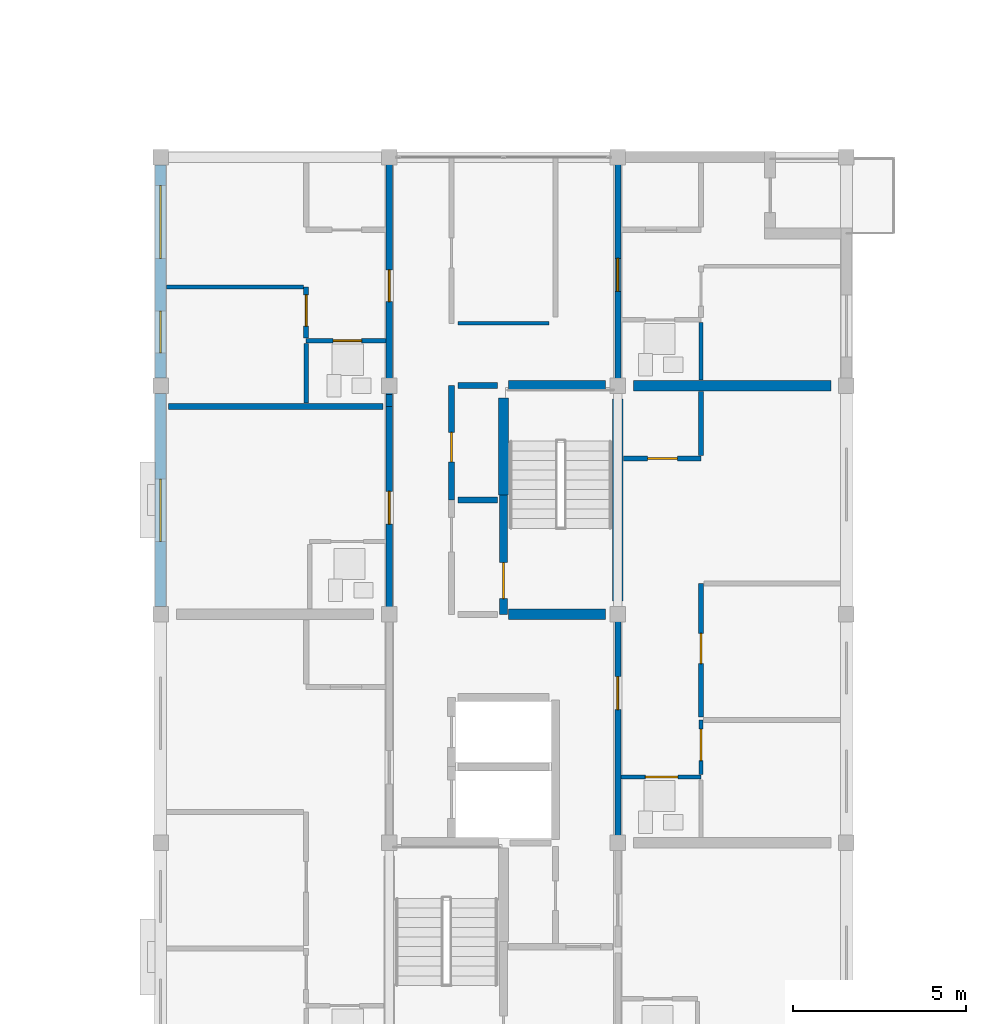
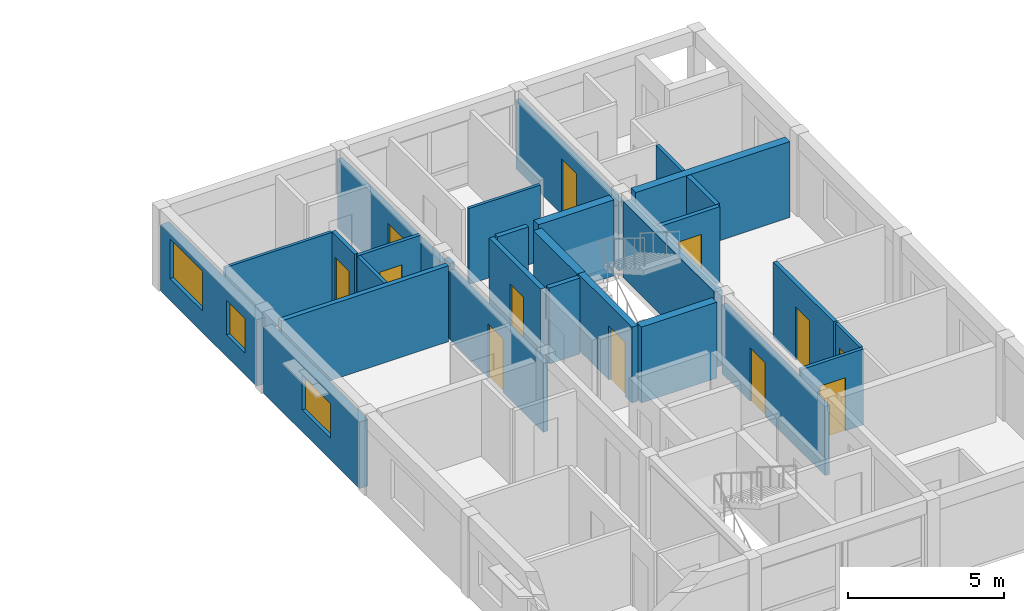
# One storey, part 32 of 53: 28 walls, 12 doors, 3 windows, 15 openings.
"""IFC4 building model written with IfcOpenShell, lengths in metres."""

import ifcopenshell
import ifcopenshell.guid

model = None  # the IFC model being written
_history = None  # IfcOwnerHistory: only IFC2X3 demands one
_inside = {}  # id of a spatial element -> (the spatial element, [elements in it])
_under = {}  # id of a project, library or spatial element -> (it, [spatial elements below it])
_declared = {}  # id of a project -> (the project, [libraries it declares])
_typed = {}  # id of a type object -> (the type object, [elements of that type])
_made_of = {}  # id of a material, layer set ... -> (it, [elements and type objects made of it])


def new_model(schema):
    """Start an empty IFC model of exactly this schema.

    Asked for "IFC4X3", IfcOpenShell would pick the latest addendum, in which some entities
    have other attributes; the version numbers below select the first issue.
    IFC2X3 requires an IfcOwnerHistory on every rooted entity: one is made here for all.
    """
    global model, _history
    if schema == "IFC4X3":
        model = ifcopenshell.file(schema_version=(4, 3, 0, 0))
    else:
        model = ifcopenshell.file(schema=schema)
    _inside.clear()
    _under.clear()
    _declared.clear()
    _typed.clear()
    _made_of.clear()
    _history = None
    if model.schema == "IFC2X3":
        org = make("IfcOrganization", Name="unknown")
        user = make(
            "IfcPersonAndOrganization",
            ThePerson=make("IfcPerson", FamilyName="unknown"),
            TheOrganization=org,
        )
        app = make(
            "IfcApplication",
            ApplicationDeveloper=org,
            Version="unknown",
            ApplicationFullName="unknown",
            ApplicationIdentifier="unknown",
        )
        _history = make(
            "IfcOwnerHistory",
            OwningUser=user,
            OwningApplication=app,
            ChangeAction="ADDED",
            CreationDate=0,
        )
    return model


def make(cls, **values):
    """One entity of the class cls with the attributes given. An attribute that is None is left unset."""
    return model.create_entity(
        cls, **{name: value for name, value in values.items() if value is not None}
    )


def rooted(cls, **values):
    """An entity with a GlobalId (a new one), such as an element, a storey or a relation."""
    return make(cls, GlobalId=ifcopenshell.guid.new(), OwnerHistory=_history, **values)


def si_unit(unit_type, name, prefix=None):
    """IfcSIUnit, for example si_unit("LENGTHUNIT", "METRE", prefix="MILLI")."""
    return make("IfcSIUnit", UnitType=unit_type, Prefix=prefix, Name=name)


def assignment(units):
    """IfcUnitAssignment: the units of a project."""
    return None if units is None else make("IfcUnitAssignment", Units=units)


def point(xyz):
    """IfcCartesianPoint."""
    return None if xyz is None else make("IfcCartesianPoint", Coordinates=xyz)


def direction(xyz):
    """IfcDirection."""
    return None if xyz is None else make("IfcDirection", DirectionRatios=xyz)


def frame(location, z_axis=None, x_axis=None):
    """IfcAxis2Placement3D, a coordinate frame: its origin and axes. An axis left out is left unset."""
    return make(
        "IfcAxis2Placement3D",
        Location=point(location),
        Axis=direction(z_axis),
        RefDirection=direction(x_axis),
    )


def frame_2d(location, x_axis=None):
    """IfcAxis2Placement2D, a coordinate frame in the plane: its origin and x axis."""
    return make(
        "IfcAxis2Placement2D", Location=point(location), RefDirection=direction(x_axis)
    )


def origin():
    """The frame at (0, 0, 0) with its axes left unset."""
    return frame((0.0, 0.0, 0.0))


def place(relative_to, where):
    """IfcLocalPlacement: puts the frame where relative to a parent placement (None: the world)."""
    return make(
        "IfcLocalPlacement", PlacementRelTo=relative_to, RelativePlacement=where
    )


def context(
    kind, dimensions, precision=None, world=None, true_north=None, identifier=None
):
    """IfcGeometricRepresentationContext, for example the 3D "Model" context."""
    return make(
        "IfcGeometricRepresentationContext",
        ContextIdentifier=identifier,
        ContextType=kind,
        CoordinateSpaceDimension=dimensions,
        Precision=precision,
        WorldCoordinateSystem=world,
        TrueNorth=true_north,
    )


def subcontext(parent, identifier, kind, view, scale=None):
    """IfcGeometricRepresentationSubContext, for example "Body" below "Model"."""
    return make(
        "IfcGeometricRepresentationSubContext",
        ContextIdentifier=identifier,
        ContextType=kind,
        ParentContext=parent,
        TargetScale=scale,
        TargetView=view,
    )


def project(units=None, contexts=None):
    """IfcProject with its units and contexts."""
    return rooted(
        "IfcProject",
        Name="project",
        RepresentationContexts=contexts,
        UnitsInContext=assignment(units),
    )


def spatial(cls, under=None, at=None, **own):
    """A site, building, storey or space (cls), placed at a placement, below another one or the project."""
    s = rooted(cls, ObjectPlacement=at, **own)
    if under is not None:
        _under.setdefault(under.id(), (under, []))[1].append(s)
    return s


def profile(cls, at=None, kind="AREA", **sizes):
    """A parametric profile (cls). Its sizes go by their IFC names, for example OverallWidth=200.0."""
    return make(cls, ProfileType=kind, Position=at, **sizes)


def rectangle(**sizes):
    """IfcRectangleProfileDef."""
    return profile("IfcRectangleProfileDef", **sizes)


def extrude(swept, where, along, depth):
    """IfcExtrudedAreaSolid: the profile swept, set in the frame where, extruded along a direction by depth."""
    return make(
        "IfcExtrudedAreaSolid",
        SweptArea=swept,
        Position=where,
        ExtrudedDirection=direction(along),
        Depth=depth,
    )


def shape(context_of_items, identifier, shape_type, items):
    """IfcShapeRepresentation: the items that make up one representation, for example the "Body"."""
    return make(
        "IfcShapeRepresentation",
        ContextOfItems=context_of_items,
        RepresentationIdentifier=identifier,
        RepresentationType=shape_type,
        Items=items,
    )


def material(Name=None, Category=None):
    """IfcMaterial."""
    return make("IfcMaterial", Name=Name, Category=Category)


def layer(
    of_material, thickness, ventilated=None, Name=None, Category=None, Priority=None
):
    """IfcMaterialLayer: one layer of a wall or slab, of a material (None: an air gap)."""
    return make(
        "IfcMaterialLayer",
        Material=of_material,
        LayerThickness=thickness,
        IsVentilated=ventilated,
        Name=Name,
        Category=Category,
        Priority=Priority,
    )


def layer_set(layers, Name=None):
    """IfcMaterialLayerSet."""
    return make("IfcMaterialLayerSet", MaterialLayers=layers, LayerSetName=Name)


def made_of(thing, what):
    """Note that an element or type object is made of a material, layer set ...; save() writes the relation."""
    if what is not None:
        _made_of.setdefault(what.id(), (what, []))[1].append(thing)
    return thing


def type_object(cls, material=None, **own):
    """A type object (cls), such as IfcWallType, which elements share."""
    return made_of(rooted(cls, **own), material)


def element(
    cls,
    number,
    at=None,
    inside=None,
    cuts=None,
    type_object=None,
    material=None,
    context=None,
    identifier="Body",
    shape_type=None,
    held_by="IfcProductDefinitionShape",
    body=None,
    shapes=None,
    **own,
):
    """One element of the class cls, such as IfcWall. Its Tag is "e" and its number.

    at: its placement. inside: the storey or other place that contains it. cuts: it is an
    opening in that element (IfcRelVoidsElement). A single representation is given by context,
    identifier, shape_type and body (its items); several are given by shapes. held_by: the class
    of the entity that holds the representations. save() writes the other relations.
    """
    e = rooted(cls, Tag="e%d" % number, ObjectPlacement=at, **own)
    if body is not None:
        shapes = [shape(context, identifier, shape_type, body)]
    if shapes is not None:
        e.Representation = make(held_by, Representations=shapes)
    if inside is not None:
        _inside.setdefault(inside.id(), (inside, []))[1].append(e)
    if cuts is not None:
        rooted(
            "IfcRelVoidsElement", RelatingBuildingElement=cuts, RelatedOpeningElement=e
        )
    if type_object is not None:
        _typed.setdefault(type_object.id(), (type_object, []))[1].append(e)
    return made_of(e, material)


def fill(opening, filler):
    """IfcRelFillsElement: the door or window that sits in an opening."""
    return rooted(
        "IfcRelFillsElement",
        RelatingOpeningElement=opening,
        RelatedBuildingElement=filler,
    )


def aggregate(whole, parts):
    """IfcRelAggregates: a whole, such as a stair, and the parts it consists of."""
    return rooted("IfcRelAggregates", RelatingObject=whole, RelatedObjects=parts)


def save(model, path):
    """Write the relations noted so far, then the file.

    IfcRelAggregates (storeys below a building ...), IfcRelContainedInSpatialStructure (elements
    in a storey), IfcRelDefinesByType, IfcRelAssociatesMaterial and IfcRelDeclares: one each for
    every whole, place, type object, material and project.
    """
    for whole, parts in _under.values():
        aggregate(whole, parts)
    for where, things in _inside.values():
        rooted(
            "IfcRelContainedInSpatialStructure",
            RelatedElements=things,
            RelatingStructure=where,
        )
    for kind, things in _typed.values():
        rooted("IfcRelDefinesByType", RelatedObjects=things, RelatingType=kind)
    for what, things in _made_of.values():
        rooted("IfcRelAssociatesMaterial", RelatedObjects=things, RelatingMaterial=what)
    for by, libraries in _declared.values():
        rooted("IfcRelDeclares", RelatingContext=by, RelatedDefinitions=libraries)
    model.write(path)


model = new_model("IFC4")

# Units and contexts
model_context = context("Model", 3, precision=1e-05, world=origin(), true_north=direction((0.0, 1.0)))
body_context = subcontext(model_context, "Body", "Model", "MODEL_VIEW")
ifc_project = project(units=[si_unit("LENGTHUNIT", "METRE"), si_unit("AREAUNIT", "SQUARE_METRE"), si_unit("VOLUMEUNIT", "CUBIC_METRE"), si_unit("PLANEANGLEUNIT", "RADIAN"), si_unit("MASSUNIT", "GRAM", prefix="KILO")], contexts=[model_context])

# Site, building, storey
site_placement = place(None, origin())
site = spatial("IfcSite", under=ifc_project, at=site_placement, CompositionType="ELEMENT")
building_placement = place(site_placement, origin())
building = spatial("IfcBuilding", under=site, at=building_placement, Name="Kernevlak Ridge Housing Community", CompositionType="ELEMENT")
storey_placement = place(building_placement, frame((0.0, 0.0, 24.39990234375)))
storey = spatial("IfcBuildingStorey", under=building, at=storey_placement, Name="L07", CompositionType="ELEMENT", Elevation=24.39990234375)

# Wall, opening, window
ifc_material_1 = material(Name="Concrete block masonry M10", Category="masonry")
ifc_layer_1 = layer(ifc_material_1, 0.320068359375, Name="Concrete block masonry M10")
ifc_layer_set_1 = layer_set([ifc_layer_1], Name="Concrete block masonry M10")
wall_type_1 = type_object("IfcWallType", Name="EW-02", PredefinedType="STANDARD", material=ifc_layer_set_1)
wall_1_placement = place(storey_placement, frame((126.0, 29.02490234375, 0.0), z_axis=(0.0, 0.0, 1.0), x_axis=(0.0, 1.0, 0.0)))
wall_1 = element("IfcWall", 1, at=wall_1_placement, inside=storey, type_object=wall_type_1, Name="Exterior wall EW-02 L07 630", PredefinedType="STANDARD", context=body_context, shape_type="SweptSolid", body=[
    extrude(rectangle(XDim=6.150146484375, YDim=0.320068359375, at=frame_2d((3.0751953125, 0.0))), origin(), (0.0, 0.0, 1.0), 2.60009765625),
])
opening_1_placement = place(wall_1_placement, frame((1.875, 0.0, 0.85009765625)))
opening_1 = element("IfcOpeningElement", 2, at=opening_1_placement, cuts=wall_1, Name="Opening WT-03", PredefinedType="OPENING", context=body_context, shape_type="SweptSolid", body=[
    extrude(rectangle(XDim=1.800048828125, YDim=1.35009765625, at=frame_2d((0.89990234375, 0.675048828125))), frame((0.0, 0.169921875, 0.0), z_axis=(0.0, -1.0, 0.0), x_axis=(1.0, 0.0, 0.0)), (0.0, 0.0, 1.0), 0.340087890625),
])
ifc_material_2 = material(Name="Aluminium EN AW-6060 anodised and laminated glass", Category="aluminium")
window_type_1 = type_object("IfcWindowType", Name="WT-03", PartitioningType="SINGLE_PANEL", PredefinedType="WINDOW", material=ifc_material_2)
window_1_placement = place(opening_1_placement, origin())
window_1 = element("IfcWindow", 3, at=window_1_placement, inside=storey, type_object=window_type_1, Name="Window WT-03 L07 512", OverallHeight=1.35009765625, OverallWidth=1.800048828125, PartitioningType="SINGLE_PANEL", PredefinedType="WINDOW", context=body_context, shape_type="SweptSolid", body=[
    extrude(rectangle(XDim=1.800048828125, YDim=1.35009765625, at=frame_2d((0.89990234375, 0.675048828125))), frame((0.0, 0.030029296875, 0.0), z_axis=(0.0, -1.0, 0.0), x_axis=(1.0, 0.0, 0.0)), (0.0, 0.0, 1.0), 0.06005859375),
])
fill(opening_1, window_1)

# Wall, openings, windows
wall_2_placement = place(storey_placement, frame((126.0, 35.625, 0.0), z_axis=(0.0, 0.0, 1.0), x_axis=(0.0, 1.0, 0.0)))
wall_2 = element("IfcWall", 4, at=wall_2_placement, inside=storey, type_object=wall_type_1, Name="Exterior wall EW-02 L07 631", PredefinedType="STANDARD", context=body_context, shape_type="SweptSolid", body=[
    extrude(rectangle(XDim=6.14990234375, YDim=0.320068359375, at=frame_2d((3.074951171875, 0.0))), origin(), (0.0, 0.0, 1.0), 2.60009765625),
])
opening_2_placement = place(wall_2_placement, frame((0.72509765625, 0.0, 0.85009765625)))
opening_2 = element("IfcOpeningElement", 5, at=opening_2_placement, cuts=wall_2, Name="Opening WT-01", PredefinedType="OPENING", context=body_context, shape_type="SweptSolid", body=[
    extrude(rectangle(XDim=1.199951171875, YDim=1.35009765625, at=frame_2d((0.60009765625, 0.675048828125))), frame((0.0, 0.169921875, 0.0), z_axis=(0.0, -1.0, 0.0), x_axis=(1.0, 0.0, 0.0)), (0.0, 0.0, 1.0), 0.340087890625),
])
opening_3_placement = place(wall_2_placement, frame((3.449951171875, 0.0, 0.85009765625)))
opening_3 = element("IfcOpeningElement", 6, at=opening_3_placement, cuts=wall_2, Name="Opening WT-05", PredefinedType="OPENING", context=body_context, shape_type="SweptSolid", body=[
    extrude(rectangle(XDim=2.10009765625, YDim=1.550048828125, at=frame_2d((1.050048828125, 0.77490234375))), frame((0.0, 0.169921875, 0.0), z_axis=(0.0, -1.0, 0.0), x_axis=(1.0, 0.0, 0.0)), (0.0, 0.0, 1.0), 0.340087890625),
])
window_type_2 = type_object("IfcWindowType", Name="WT-01", PartitioningType="SINGLE_PANEL", PredefinedType="WINDOW", material=ifc_material_2)
window_2_placement = place(opening_2_placement, origin())
window_2 = element("IfcWindow", 7, at=window_2_placement, inside=storey, type_object=window_type_2, Name="Window WT-01 L07 513", OverallHeight=1.35009765625, OverallWidth=1.199951171875, PartitioningType="SINGLE_PANEL", PredefinedType="WINDOW", context=body_context, shape_type="SweptSolid", body=[
    extrude(rectangle(XDim=1.199951171875, YDim=1.35009765625, at=frame_2d((0.60009765625, 0.675048828125))), frame((0.0, 0.030029296875, 0.0), z_axis=(0.0, -1.0, 0.0), x_axis=(1.0, 0.0, 0.0)), (0.0, 0.0, 1.0), 0.06005859375),
])
fill(opening_2, window_2)
window_type_3 = type_object("IfcWindowType", Name="WT-05", PartitioningType="SINGLE_PANEL", PredefinedType="WINDOW", material=ifc_material_2)
window_3_placement = place(opening_3_placement, origin())
window_3 = element("IfcWindow", 8, at=window_3_placement, inside=storey, type_object=window_type_3, Name="Window WT-05 L07 514", OverallHeight=1.550048828125, OverallWidth=2.10009765625, PartitioningType="SINGLE_PANEL", PredefinedType="WINDOW", context=body_context, shape_type="SweptSolid", body=[
    extrude(rectangle(XDim=2.10009765625, YDim=1.550048828125, at=frame_2d((1.050048828125, 0.77490234375))), frame((0.0, 0.030029296875, 0.0), z_axis=(0.0, -1.0, 0.0), x_axis=(1.0, 0.0, 0.0)), (0.0, 0.0, 1.0), 0.06005859375),
])
fill(opening_3, window_3)

# Wall, opening, door
ifc_material_3 = material(Name="Concrete C35/45", Category="concrete")
ifc_layer_2 = layer(ifc_material_3, 0.22509765625, Name="Concrete C35/45")
ifc_layer_set_2 = layer_set([ifc_layer_2], Name="Concrete C35/45")
wall_type_2 = type_object("IfcWallType", Name="PW-01", PredefinedType="STANDARD", material=ifc_layer_set_2)
wall_3_placement = place(storey_placement, frame((135.89990234375, 28.800048828125, 0.0), z_axis=(0.0, 0.0, 1.0), x_axis=(0.0, 1.0, 0.0)))
wall_3 = element("IfcWall", 9, at=wall_3_placement, inside=storey, type_object=wall_type_2, Name="Interior wall PW-01 WAL-INT-L07-2558", PredefinedType="STANDARD", context=body_context, shape_type="SweptSolid", body=[
    extrude(rectangle(XDim=3.449951171875, YDim=0.22509765625, at=frame_2d((1.72509765625, 0.0))), origin(), (0.0, 0.0, 1.0), 2.97021484375),
])
opening_4_placement = place(wall_3_placement, frame((0.449951171875, 0.0, 0.0)))
opening_4 = element("IfcOpeningElement", 10, at=opening_4_placement, cuts=wall_3, Name="Opening E296", PredefinedType="OPENING", context=body_context, shape_type="SweptSolid", body=[
    extrude(rectangle(XDim=1.0400390625, YDim=2.1201171875, at=frame_2d((0.52001953125, 1.06005859375))), frame((0.0, 0.12255859375, 0.0), z_axis=(0.0, -1.0, 0.0), x_axis=(1.0, 0.0, 0.0)), (0.0, 0.0, 1.0), 0.2451171875),
])
ifc_material_4 = material(Name="Fire-rated sheet steel leaf", Category="steel")
door_type_1 = type_object("IfcDoorType", Name="DT-16", OperationType="NOTDEFINED", PredefinedType="DOOR", material=ifc_material_4)
door_1_placement = place(opening_4_placement, origin())
door_1 = element("IfcDoor", 11, at=door_1_placement, inside=storey, type_object=door_type_1, Name="Block C Stair 2 fire door E296", OperationType="SINGLE_SWING_LEFT", OverallHeight=2.1201171875, OverallWidth=1.0400390625, PredefinedType="DOOR", context=body_context, shape_type="SweptSolid", body=[
    extrude(rectangle(XDim=1.0400390625, YDim=2.1201171875, at=frame_2d((0.52001953125, 1.06005859375))), frame((0.0, 0.02490234375, 0.0), z_axis=(0.0, -1.0, 0.0), x_axis=(1.0, 0.0, 0.0)), (0.0, 0.0, 1.0), 0.050048828125),
])
fill(opening_4, door_1)

ifc_layer_3 = layer(ifc_material_1, 0.175048828125, Name="Concrete block masonry M10")
ifc_layer_set_3 = layer_set([ifc_layer_3], Name="Concrete block masonry M10")
wall_type_3 = type_object("IfcWallType", Name="PW-02", PredefinedType="PARTITIONING", material=ifc_layer_set_3)
wall_4_placement = place(storey_placement, frame((134.39990234375, 32.10009765625, 0.0), z_axis=(0.0, 0.0, 1.0), x_axis=(0.0, 1.0, 0.0)))
wall_4 = element("IfcWall", 12, at=wall_4_placement, inside=storey, type_object=wall_type_3, Name="Interior wall PW-02 WAL-INT-L07-2560", PredefinedType="PARTITIONING", context=body_context, shape_type="SweptSolid", body=[
    extrude(rectangle(XDim=3.2998046875, YDim=0.175048828125, at=frame_2d((1.64990234375, 0.0))), origin(), (0.0, 0.0, 1.0), 2.97021484375),
])
opening_5_placement = place(wall_4_placement, frame((1.10009765625, 0.0, 0.0)))
opening_5 = element("IfcOpeningElement", 13, at=opening_5_placement, cuts=wall_4, Name="Opening E298", PredefinedType="OPENING", context=body_context, shape_type="SweptSolid", body=[
    extrude(rectangle(XDim=0.85009765625, YDim=2.0, at=frame_2d((0.425048828125, 1.0))), frame((0.0, 0.097412109375, 0.0), z_axis=(0.0, -1.0, 0.0), x_axis=(1.0, 0.0, 0.0)), (0.0, 0.0, 1.0), 0.195068359375),
])
door_type_2 = type_object("IfcDoorType", Name="DT-07", OperationType="NOTDEFINED", PredefinedType="DOOR", material=ifc_material_4)
door_2_placement = place(opening_5_placement, origin())
door_2 = element("IfcDoor", 14, at=door_2_placement, inside=storey, type_object=door_type_2, Name="Block C Cleaner store door E298", OperationType="SINGLE_SWING_LEFT", OverallHeight=2.0, OverallWidth=0.85009765625, PredefinedType="DOOR", context=body_context, shape_type="SweptSolid", body=[
    extrude(rectangle(XDim=0.85009765625, YDim=2.0, at=frame_2d((0.425048828125, 1.0))), frame((0.0, 0.02490234375, 0.0), z_axis=(0.0, -1.0, 0.0), x_axis=(1.0, 0.0, 0.0)), (0.0, 0.0, 1.0), 0.050048828125),
])
fill(opening_5, door_2)

# Walls
for number, where, z_axis, x_axis, name in (
    (15, (134.580078125, 32.10009765625, 0.0), (0.0, 0.0, 1.0), (1.0, 0.0, 0.0), "Interior wall PW-02 WAL-INT-L07-2562"),
    (16, (134.580078125, 35.39990234375, 0.0), (0.0, 0.0, 1.0), (1.0, 0.0, 0.0), "Interior wall PW-02 WAL-INT-L07-2563"),
):
    element("IfcWall", number, at=place(storey_placement, frame(where, z_axis=z_axis, x_axis=x_axis)), inside=storey, type_object=wall_type_3, Name=name, PredefinedType="PARTITIONING", context=body_context, shape_type="SweptSolid", body=[
        extrude(rectangle(XDim=1.139892578125, YDim=0.175048828125, at=frame_2d((0.56982421875, 0.0))), origin(), (0.0, 0.0, 1.0), 2.97021484375),
    ])

# Wall, opening, door
wall_5_placement = place(storey_placement, frame((132.60009765625, 28.800048828125, 0.0), z_axis=(0.0, 0.0, 1.0), x_axis=(0.0, 1.0, 0.0)))
wall_5 = element("IfcWall", 17, at=wall_5_placement, inside=storey, type_object=wall_type_3, Name="Interior wall PW-02 WAL-INT-L07-2576", PredefinedType="PARTITIONING", context=body_context, shape_type="SweptSolid", body=[
    extrude(rectangle(XDim=6.0, YDim=0.175048828125, at=frame_2d((3.0, 0.0))), origin(), (0.0, 0.0, 1.0), 2.7001953125),
])
opening_6_placement = place(wall_5_placement, frame((2.60009765625, 0.0, 0.0)))
opening_6 = element("IfcOpeningElement", 18, at=opening_6_placement, cuts=wall_5, Name="Opening E305", PredefinedType="OPENING", context=body_context, shape_type="SweptSolid", body=[
    extrude(rectangle(XDim=0.949951171875, YDim=2.10009765625, at=frame_2d((0.47509765625, 1.050048828125))), frame((0.0, 0.097412109375, 0.0), z_axis=(0.0, -1.0, 0.0), x_axis=(1.0, 0.0, 0.0)), (0.0, 0.0, 1.0), 0.195068359375),
])
ifc_material_5 = material(Name="Hardwood timber solid-core fire leaf", Category="wood")
door_type_3 = type_object("IfcDoorType", Name="DT-01", OperationType="NOTDEFINED", PredefinedType="DOOR", material=ifc_material_5)
door_3_placement = place(opening_6_placement, origin())
door_3 = element("IfcDoor", 19, at=door_3_placement, inside=storey, type_object=door_type_3, Name="Flat C0712 entrance fire door E305", OperationType="SINGLE_SWING_RIGHT", OverallHeight=2.10009765625, OverallWidth=0.949951171875, PredefinedType="DOOR", context=body_context, shape_type="SweptSolid", body=[
    extrude(rectangle(XDim=0.949951171875, YDim=2.10009765625, at=frame_2d((0.47509765625, 1.050048828125))), frame((0.0, 0.02490234375, 0.0), z_axis=(0.0, -1.0, 0.0), x_axis=(1.0, 0.0, 0.0)), (0.0, 0.0, 1.0), 0.050048828125),
])
fill(opening_6, door_3)

# Walls
wall_6_placement = place(storey_placement, frame((132.419921875, 34.800048828125, 0.0), z_axis=(0.0, 0.0, 1.0), x_axis=(-1.0, 0.0, 0.0)))
element("IfcWall", 20, at=wall_6_placement, inside=storey, type_object=wall_type_3, Name="Interior wall PW-02 WAL-INT-L07-2579", PredefinedType="PARTITIONING", context=body_context, shape_type="SweptSolid", body=[
    extrude(rectangle(XDim=6.18994140625, YDim=0.175048828125, at=frame_2d((3.094970703125, 0.0))), origin(), (0.0, 0.0, 1.0), 2.97021484375),
])
wall_7_placement = place(storey_placement, frame((132.60009765625, 34.800048828125, 0.0), z_axis=(0.0, 0.0, 1.0), x_axis=(0.0, 1.0, 0.0)))
element("IfcWall", 21, at=wall_7_placement, inside=storey, type_object=wall_type_3, Name="Interior wall PW-02 WAL-INT-L07-2580", PredefinedType="PARTITIONING", context=body_context, shape_type="SweptSolid", body=[
    extrude(rectangle(XDim=0.344970703125, YDim=0.175048828125, at=frame_2d((0.17236328125, 0.0))), origin(), (0.0, 0.0, 1.0), 2.97021484375),
])

# Wall, opening, door
wall_8_placement = place(storey_placement, frame((132.60009765625, 35.14501953125, 0.0), z_axis=(0.0, 0.0, 1.0), x_axis=(0.0, 1.0, 0.0)))
wall_8 = element("IfcWall", 22, at=wall_8_placement, inside=storey, type_object=wall_type_3, Name="Interior wall PW-02 WAL-INT-L07-2580 part 2", PredefinedType="PARTITIONING", context=body_context, shape_type="SweptSolid", body=[
    extrude(rectangle(XDim=6.85498046875, YDim=0.175048828125, at=frame_2d((3.427490234375, 0.0))), origin(), (0.0, 0.0, 1.0), 2.7001953125),
])
opening_7_placement = place(wall_8_placement, frame((2.679931640625, 0.0, 0.0)))
opening_7 = element("IfcOpeningElement", 23, at=opening_7_placement, cuts=wall_8, Name="Opening E307", PredefinedType="OPENING", context=body_context, shape_type="SweptSolid", body=[
    extrude(rectangle(XDim=0.919921875, YDim=2.139892578125, at=frame_2d((0.4599609375, 1.06982421875))), frame((0.0, 0.097412109375, 0.0), z_axis=(0.0, -1.0, 0.0), x_axis=(1.0, 0.0, 0.0)), (0.0, 0.0, 1.0), 0.195068359375),
])
door_type_4 = type_object("IfcDoorType", Name="DT-20", OperationType="NOTDEFINED", PredefinedType="DOOR", material=ifc_material_5)
door_4_placement = place(opening_7_placement, origin())
door_4 = element("IfcDoor", 24, at=door_4_placement, inside=storey, type_object=door_type_4, Name="Flat C0713 entrance fire door E307", OperationType="SINGLE_SWING_RIGHT", OverallHeight=2.139892578125, OverallWidth=0.919921875, PredefinedType="DOOR", context=body_context, shape_type="SweptSolid", body=[
    extrude(rectangle(XDim=0.919921875, YDim=2.139892578125, at=frame_2d((0.4599609375, 1.06982421875))), frame((0.0, 0.02490234375, 0.0), z_axis=(0.0, -1.0, 0.0), x_axis=(1.0, 0.0, 0.0)), (0.0, 0.0, 1.0), 0.050048828125),
])
fill(opening_7, door_4)

wall_9_placement = place(storey_placement, frame((139.199951171875, 22.199951171875, 0.0), z_axis=(0.0, 0.0, 1.0), x_axis=(0.0, 1.0, 0.0)))
wall_9 = element("IfcWall", 25, at=wall_9_placement, inside=storey, type_object=wall_type_3, Name="Interior wall PW-02 WAL-INT-L07-2591", PredefinedType="PARTITIONING", context=body_context, shape_type="SweptSolid", body=[
    extrude(rectangle(XDim=6.60009765625, YDim=0.175048828125, at=frame_2d((3.300048828125, 0.0))), origin(), (0.0, 0.0, 1.0), 2.7001953125),
])
opening_8_placement = place(wall_9_placement, frame((3.85009765625, 0.0, 0.0)))
opening_8 = element("IfcOpeningElement", 26, at=opening_8_placement, cuts=wall_9, Name="Opening E313", PredefinedType="OPENING", context=body_context, shape_type="SweptSolid", body=[
    extrude(rectangle(XDim=0.949951171875, YDim=2.10009765625, at=frame_2d((0.47509765625, 1.050048828125))), frame((0.0, 0.097412109375, 0.0), z_axis=(0.0, -1.0, 0.0), x_axis=(1.0, 0.0, 0.0)), (0.0, 0.0, 1.0), 0.195068359375),
])
door_5_placement = place(opening_8_placement, origin())
door_5 = element("IfcDoor", 27, at=door_5_placement, inside=storey, type_object=door_type_3, Name="Flat C0722 entrance fire door E313", OperationType="SINGLE_SWING_RIGHT", OverallHeight=2.10009765625, OverallWidth=0.949951171875, PredefinedType="DOOR", context=body_context, shape_type="SweptSolid", body=[
    extrude(rectangle(XDim=0.949951171875, YDim=2.10009765625, at=frame_2d((0.47509765625, 1.050048828125))), frame((0.0, 0.02490234375, 0.0), z_axis=(0.0, -1.0, 0.0), x_axis=(1.0, 0.0, 0.0)), (0.0, 0.0, 1.0), 0.050048828125),
])
fill(opening_8, door_5)

wall_10_placement = place(storey_placement, frame((139.199951171875, 35.39990234375, 0.0), z_axis=(0.0, 0.0, 1.0), x_axis=(0.0, 1.0, 0.0)))
wall_10 = element("IfcWall", 28, at=wall_10_placement, inside=storey, type_object=wall_type_3, Name="Interior wall PW-02 WAL-INT-L07-2600", PredefinedType="PARTITIONING", context=body_context, shape_type="SweptSolid", body=[
    extrude(rectangle(XDim=6.60009765625, YDim=0.175048828125, at=frame_2d((3.300048828125, 0.0))), origin(), (0.0, 0.0, 1.0), 2.7001953125),
])
opening_9_placement = place(wall_10_placement, frame((2.72509765625, 0.0, 0.0)))
opening_9 = element("IfcOpeningElement", 29, at=opening_9_placement, cuts=wall_10, Name="Opening E318", PredefinedType="OPENING", context=body_context, shape_type="SweptSolid", body=[
    extrude(rectangle(XDim=0.949951171875, YDim=2.159912109375, at=frame_2d((0.47509765625, 1.080078125))), frame((0.0, 0.097412109375, 0.0), z_axis=(0.0, -1.0, 0.0), x_axis=(1.0, 0.0, 0.0)), (0.0, 0.0, 1.0), 0.195068359375),
])
door_type_5 = type_object("IfcDoorType", Name="DT-02", OperationType="NOTDEFINED", PredefinedType="DOOR", material=ifc_material_5)
door_6_placement = place(opening_9_placement, origin())
door_6 = element("IfcDoor", 30, at=door_6_placement, inside=storey, type_object=door_type_5, Name="Flat C0723 entrance fire door E318", OperationType="SINGLE_SWING_LEFT", OverallHeight=2.159912109375, OverallWidth=0.949951171875, PredefinedType="DOOR", context=body_context, shape_type="SweptSolid", body=[
    extrude(rectangle(XDim=0.949951171875, YDim=2.159912109375, at=frame_2d((0.47509765625, 1.080078125))), frame((0.0, 0.02490234375, 0.0), z_axis=(0.0, -1.0, 0.0), x_axis=(1.0, 0.0, 0.0)), (0.0, 0.0, 1.0), 0.050048828125),
])
fill(opening_9, door_6)

ifc_layer_4 = layer(ifc_material_1, 0.14501953125, Name="Concrete block masonry M10")
ifc_layer_set_4 = layer_set([ifc_layer_4], Name="Concrete block masonry M10")
wall_type_4 = type_object("IfcWallType", Name="PW-03", PredefinedType="PARTITIONING", material=ifc_layer_set_4)
wall_11_placement = place(storey_placement, frame((130.199951171875, 36.7724609375, 0.0), z_axis=(0.0, 0.0, 1.0), x_axis=(0.0, 1.0, 0.0)))
wall_11 = element("IfcWall", 31, at=wall_11_placement, inside=storey, type_object=wall_type_4, Name="Interior wall PW-03 WAL-INT-L07-2585", PredefinedType="PARTITIONING", context=body_context, shape_type="SweptSolid", body=[
    extrude(rectangle(XDim=1.4775390625, YDim=0.14501953125, at=frame_2d((0.73876953125, 0.0))), origin(), (0.0, 0.0, 1.0), 2.97021484375),
])
opening_10_placement = place(wall_11_placement, frame((0.35009765625, 0.0, 0.0)))
opening_10 = element("IfcOpeningElement", 32, at=opening_10_placement, cuts=wall_11, Name="Opening E310", PredefinedType="OPENING", context=body_context, shape_type="SweptSolid", body=[
    extrude(rectangle(XDim=0.89990234375, YDim=2.10009765625, at=frame_2d((0.449951171875, 1.050048828125))), frame((0.0, 0.08251953125, 0.0), z_axis=(0.0, -1.0, 0.0), x_axis=(1.0, 0.0, 0.0)), (0.0, 0.0, 1.0), 0.1650390625),
])
ifc_material_6 = material(Name="Hardwood timber leaf", Category="wood")
door_type_6 = type_object("IfcDoorType", Name="DT-21", OperationType="NOTDEFINED", PredefinedType="DOOR", material=ifc_material_6)
door_7_placement = place(opening_10_placement, origin())
door_7 = element("IfcDoor", 33, at=door_7_placement, inside=storey, type_object=door_type_6, Name="Flat C0713 bedroom door E310", OperationType="SINGLE_SWING_LEFT", OverallHeight=2.10009765625, OverallWidth=0.89990234375, PredefinedType="DOOR", context=body_context, shape_type="SweptSolid", body=[
    extrude(rectangle(XDim=0.89990234375, YDim=2.10009765625, at=frame_2d((0.449951171875, 1.050048828125))), frame((0.0, 0.02490234375, 0.0), z_axis=(0.0, -1.0, 0.0), x_axis=(1.0, 0.0, 0.0)), (0.0, 0.0, 1.0), 0.050048828125),
])
fill(opening_10, door_7)

wall_12_placement = place(storey_placement, frame((141.60009765625, 25.83251953125, 0.0), z_axis=(0.0, 0.0, 1.0), x_axis=(0.0, 1.0, 0.0)))
wall_12 = element("IfcWall", 34, at=wall_12_placement, inside=storey, type_object=wall_type_4, Name="Interior wall PW-03 WAL-INT-L07-2598", PredefinedType="PARTITIONING", context=body_context, shape_type="SweptSolid", body=[
    extrude(rectangle(XDim=3.859375, YDim=0.14501953125, at=frame_2d((1.9296875, 0.0))), origin(), (0.0, 0.0, 1.0), 2.97021484375),
])
opening_11_placement = place(wall_12_placement, frame((1.5458984375, 0.0, 0.0)))
opening_11 = element("IfcOpeningElement", 35, at=opening_11_placement, cuts=wall_12, Name="Opening E317", PredefinedType="OPENING", context=body_context, shape_type="SweptSolid", body=[
    extrude(rectangle(XDim=0.8701171875, YDim=2.080078125, at=frame_2d((0.43505859375, 1.0400390625))), frame((0.0, 0.08251953125, 0.0), z_axis=(0.0, -1.0, 0.0), x_axis=(1.0, 0.0, 0.0)), (0.0, 0.0, 1.0), 0.1650390625),
])
door_type_7 = type_object("IfcDoorType", Name="DT-32", OperationType="NOTDEFINED", PredefinedType="DOOR", material=ifc_material_6)
door_8_placement = place(opening_11_placement, origin())
door_8 = element("IfcDoor", 36, at=door_8_placement, inside=storey, type_object=door_type_7, Name="Flat C0722 bedroom door E317", OperationType="SINGLE_SWING_RIGHT", OverallHeight=2.080078125, OverallWidth=0.8701171875, PredefinedType="DOOR", context=body_context, shape_type="SweptSolid", body=[
    extrude(rectangle(XDim=0.8701171875, YDim=2.080078125, at=frame_2d((0.43505859375, 1.0400390625))), frame((0.0, 0.02490234375, 0.0), z_axis=(0.0, -1.0, 0.0), x_axis=(1.0, 0.0, 0.0)), (0.0, 0.0, 1.0), 0.050048828125),
])
fill(opening_11, door_8)

ifc_material_7 = material(Name="Gypsum plasterboard EN 520", Category="gypsum")
ifc_layer_5 = layer(ifc_material_7, 0.125, Name="Gypsum plasterboard EN 520")
ifc_layer_set_5 = layer_set([ifc_layer_5], Name="Gypsum plasterboard EN 520")
wall_type_5 = type_object("IfcWallType", Name="PW-04", PredefinedType="PARTITIONING", material=ifc_layer_set_5)
wall_13_placement = place(storey_placement, frame((132.50244140625, 36.699951171875, 0.0), z_axis=(0.0, 0.0, 1.0), x_axis=(-1.0, 0.0, 0.0)))
wall_13 = element("IfcWall", 37, at=wall_13_placement, inside=storey, type_object=wall_type_5, Name="Interior wall PW-04 WAL-INT-L07-2581", PredefinedType="PARTITIONING", context=body_context, shape_type="SweptSolid", body=[
    extrude(rectangle(XDim=2.302490234375, YDim=0.125, at=frame_2d((1.1513671875, 0.0))), origin(), (0.0, 0.0, 1.0), 2.97021484375),
])
opening_12_placement = place(wall_13_placement, frame((0.699951171875, 0.0, 0.0)))
opening_12 = element("IfcOpeningElement", 38, at=opening_12_placement, cuts=wall_13, Name="Opening E308", PredefinedType="OPENING", context=body_context, shape_type="SweptSolid", body=[
    extrude(rectangle(XDim=0.820068359375, YDim=2.050048828125, at=frame_2d((0.41015625, 1.02490234375))), frame((0.0, 0.072509765625, 0.0), z_axis=(0.0, -1.0, 0.0), x_axis=(1.0, 0.0, 0.0)), (0.0, 0.0, 1.0), 0.14501953125),
])
ifc_material_8 = material(Name="Hardwood timber moisture-resistant leaf", Category="wood")
door_type_8 = type_object("IfcDoorType", Name="DT-30", OperationType="NOTDEFINED", PredefinedType="DOOR", material=ifc_material_8)
door_9_placement = place(opening_12_placement, origin())
door_9 = element("IfcDoor", 39, at=door_9_placement, inside=storey, type_object=door_type_8, Name="Flat C0713 bathroom door E308", OperationType="SINGLE_SWING_LEFT", OverallHeight=2.050048828125, OverallWidth=0.820068359375, PredefinedType="DOOR", context=body_context, shape_type="SweptSolid", body=[
    extrude(rectangle(XDim=0.820068359375, YDim=2.050048828125, at=frame_2d((0.41015625, 1.02490234375))), frame((0.0, 0.02490234375, 0.0), z_axis=(0.0, -1.0, 0.0), x_axis=(1.0, 0.0, 0.0)), (0.0, 0.0, 1.0), 0.050048828125),
])
fill(opening_12, door_9)

# Wall
wall_14_placement = place(storey_placement, frame((130.199951171875, 34.8974609375, 0.0), z_axis=(0.0, 0.0, 1.0), x_axis=(0.0, 1.0, 0.0)))
element("IfcWall", 40, at=wall_14_placement, inside=storey, type_object=wall_type_5, Name="Interior wall PW-04 WAL-INT-L07-2582", PredefinedType="PARTITIONING", context=body_context, shape_type="SweptSolid", body=[
    extrude(rectangle(XDim=1.72265625, YDim=0.125, at=frame_2d((0.861328125, 0.0))), origin(), (0.0, 0.0, 1.0), 2.97021484375),
])

# Wall, opening, door
wall_15_placement = place(storey_placement, frame((139.297607421875, 24.10009765625, 0.0), z_axis=(0.0, 0.0, 1.0), x_axis=(1.0, 0.0, 0.0)))
wall_15 = element("IfcWall", 41, at=wall_15_placement, inside=storey, type_object=wall_type_5, Name="Interior wall PW-04 WAL-INT-L07-2592", PredefinedType="PARTITIONING", context=body_context, shape_type="SweptSolid", body=[
    extrude(rectangle(XDim=2.302490234375, YDim=0.125, at=frame_2d((1.1513671875, 0.0))), origin(), (0.0, 0.0, 1.0), 2.97021484375),
])
opening_13_placement = place(wall_15_placement, frame((0.699951171875, 0.0, 0.0)))
opening_13 = element("IfcOpeningElement", 42, at=opening_13_placement, cuts=wall_15, Name="Opening E314", PredefinedType="OPENING", context=body_context, shape_type="SweptSolid", body=[
    extrude(rectangle(XDim=0.93994140625, YDim=2.080078125, at=frame_2d((0.469970703125, 1.0400390625))), frame((0.0, 0.072509765625, 0.0), z_axis=(0.0, -1.0, 0.0), x_axis=(1.0, 0.0, 0.0)), (0.0, 0.0, 1.0), 0.14501953125),
])
door_type_9 = type_object("IfcDoorType", Name="DT-23", OperationType="NOTDEFINED", PredefinedType="DOOR", material=ifc_material_8)
door_10_placement = place(opening_13_placement, origin())
door_10 = element("IfcDoor", 43, at=door_10_placement, inside=storey, type_object=door_type_9, Name="Flat C0722 bathroom door E314", OperationType="SINGLE_SWING_LEFT", OverallHeight=2.080078125, OverallWidth=0.93994140625, PredefinedType="DOOR", context=body_context, shape_type="SweptSolid", body=[
    extrude(rectangle(XDim=0.93994140625, YDim=2.080078125, at=frame_2d((0.469970703125, 1.0400390625))), frame((0.0, 0.02490234375, 0.0), z_axis=(0.0, -1.0, 0.0), x_axis=(1.0, 0.0, 0.0)), (0.0, 0.0, 1.0), 0.050048828125),
])
fill(opening_13, door_10)

# Wall
wall_16_placement = place(storey_placement, frame((141.60009765625, 35.56005859375, 0.0), z_axis=(0.0, 0.0, 1.0), x_axis=(0.0, 1.0, 0.0)))
element("IfcWall", 44, at=wall_16_placement, inside=storey, type_object=wall_type_5, Name="Interior wall PW-04 WAL-INT-L07-2602", PredefinedType="PARTITIONING", context=body_context, shape_type="SweptSolid", body=[
    extrude(rectangle(XDim=1.659912109375, YDim=0.125, at=frame_2d((0.830078125, 0.0))), origin(), (0.0, 0.0, 1.0), 2.97021484375),
])

# Wall, opening, door
ifc_layer_6 = layer(ifc_material_7, 0.155029296875, Name="Gypsum plasterboard EN 520")
ifc_layer_set_6 = layer_set([ifc_layer_6], Name="Gypsum plasterboard EN 520")
wall_type_6 = type_object("IfcWallType", Name="PW-05", PredefinedType="PARTITIONING", material=ifc_layer_set_6)
wall_17_placement = place(storey_placement, frame((139.360107421875, 33.300048828125, 0.0), z_axis=(0.0, 0.0, 1.0), x_axis=(1.0, 0.0, 0.0)))
wall_17 = element("IfcWall", 45, at=wall_17_placement, inside=storey, type_object=wall_type_6, Name="Interior wall PW-05 WAL-INT-L07-2594", PredefinedType="PARTITIONING", context=body_context, shape_type="SweptSolid", body=[
    extrude(rectangle(XDim=2.239990234375, YDim=0.155029296875, at=frame_2d((1.1201171875, 0.0))), origin(), (0.0, 0.0, 1.0), 2.97021484375),
])
opening_14_placement = place(wall_17_placement, frame((0.699951171875, 0.0, 0.0)))
opening_14 = element("IfcOpeningElement", 46, at=opening_14_placement, cuts=wall_17, Name="Opening E315", PredefinedType="OPENING", context=body_context, shape_type="SweptSolid", body=[
    extrude(rectangle(XDim=0.860107421875, YDim=2.1201171875, at=frame_2d((0.43017578125, 1.06005859375))), frame((0.0, 0.08740234375, 0.0), z_axis=(0.0, -1.0, 0.0), x_axis=(1.0, 0.0, 0.0)), (0.0, 0.0, 1.0), 0.175048828125),
])
door_type_10 = type_object("IfcDoorType", Name="DT-28", OperationType="NOTDEFINED", PredefinedType="DOOR", material=ifc_material_6)
door_11_placement = place(opening_14_placement, origin())
door_11 = element("IfcDoor", 47, at=door_11_placement, inside=storey, type_object=door_type_10, Name="Flat C0722 kitchen door E315", OperationType="SINGLE_SWING_RIGHT", OverallHeight=2.1201171875, OverallWidth=0.860107421875, PredefinedType="DOOR", context=body_context, shape_type="SweptSolid", body=[
    extrude(rectangle(XDim=0.860107421875, YDim=2.1201171875, at=frame_2d((0.43017578125, 1.06005859375))), frame((0.0, 0.02490234375, 0.0), z_axis=(0.0, -1.0, 0.0), x_axis=(1.0, 0.0, 0.0)), (0.0, 0.0, 1.0), 0.050048828125),
])
fill(opening_14, door_11)

# Walls
wall_18_placement = place(storey_placement, frame((141.60009765625, 33.387451171875, 0.0), z_axis=(0.0, 0.0, 1.0), x_axis=(0.0, 1.0, 0.0)))
element("IfcWall", 48, at=wall_18_placement, inside=storey, type_object=wall_type_6, Name="Interior wall PW-05 WAL-INT-L07-2595", PredefinedType="PARTITIONING", context=body_context, shape_type="SweptSolid", body=[
    extrude(rectangle(XDim=1.8525390625, YDim=0.155029296875, at=frame_2d((0.92626953125, 0.0))), origin(), (0.0, 0.0, 1.0), 2.97021484375),
])
ifc_layer_7 = layer(ifc_material_7, 0.10498046875, Name="Gypsum plasterboard EN 520")
ifc_layer_set_7 = layer_set([ifc_layer_7], Name="Gypsum plasterboard EN 520")
wall_type_7 = type_object("IfcWallType", Name="PW-06", PredefinedType="PARTITIONING", material=ifc_layer_set_7)
wall_19_placement = place(storey_placement, frame((134.580078125, 37.199951171875, 0.0), z_axis=(0.0, 0.0, 1.0), x_axis=(1.0, 0.0, 0.0)))
element("IfcWall", 49, at=wall_19_placement, inside=storey, type_object=wall_type_7, Name="Interior wall PW-06 WAL-INT-L07-2566", PredefinedType="PARTITIONING", context=body_context, shape_type="SweptSolid", body=[
    extrude(rectangle(XDim=2.639892578125, YDim=0.10498046875, at=frame_2d((1.31982421875, 0.0))), origin(), (0.0, 0.0, 1.0), 2.97021484375),
])
wall_20_placement = place(storey_placement, frame((130.117431640625, 38.25, 0.0), z_axis=(0.0, 0.0, 1.0), x_axis=(-1.0, 0.0, 0.0)))
element("IfcWall", 50, at=wall_20_placement, inside=storey, type_object=wall_type_7, Name="Interior wall PW-06 WAL-INT-L07-2586", PredefinedType="PARTITIONING", context=body_context, shape_type="SweptSolid", body=[
    extrude(rectangle(XDim=3.947509765625, YDim=0.10498046875, at=frame_2d((1.9736328125, 0.0))), origin(), (0.0, 0.0, 1.0), 2.97021484375),
])

# Wall, opening, door
wall_21_placement = place(storey_placement, frame((141.60009765625, 24.172607421875, 0.0), z_axis=(0.0, 0.0, 1.0), x_axis=(0.0, 1.0, 0.0)))
wall_21 = element("IfcWall", 51, at=wall_21_placement, inside=storey, type_object=wall_type_7, Name="Interior wall PW-06 WAL-INT-L07-2596", PredefinedType="PARTITIONING", context=body_context, shape_type="SweptSolid", body=[
    extrude(rectangle(XDim=1.577392578125, YDim=0.10498046875, at=frame_2d((0.78857421875, 0.0))), origin(), (0.0, 0.0, 1.0), 2.97021484375),
])
opening_15_placement = place(wall_21_placement, frame((0.39990234375, 0.0, 0.0)))
opening_15 = element("IfcOpeningElement", 52, at=opening_15_placement, cuts=wall_21, Name="Opening E316", PredefinedType="OPENING", context=body_context, shape_type="SweptSolid", body=[
    extrude(rectangle(XDim=0.909912109375, YDim=2.139892578125, at=frame_2d((0.455078125, 1.06982421875))), frame((0.0, 0.0625, 0.0), z_axis=(0.0, -1.0, 0.0), x_axis=(1.0, 0.0, 0.0)), (0.0, 0.0, 1.0), 0.125),
])
door_type_11 = type_object("IfcDoorType", Name="DT-31", OperationType="NOTDEFINED", PredefinedType="DOOR", material=ifc_material_6)
door_12_placement = place(opening_15_placement, origin())
door_12 = element("IfcDoor", 53, at=door_12_placement, inside=storey, type_object=door_type_11, Name="Flat C0722 bedroom door E316", OperationType="SINGLE_SWING_LEFT", OverallHeight=2.139892578125, OverallWidth=0.909912109375, PredefinedType="DOOR", context=body_context, shape_type="SweptSolid", body=[
    extrude(rectangle(XDim=0.909912109375, YDim=2.139892578125, at=frame_2d((0.455078125, 1.06982421875))), frame((0.0, 0.02490234375, 0.0), z_axis=(0.0, -1.0, 0.0), x_axis=(1.0, 0.0, 0.0)), (0.0, 0.0, 1.0), 0.050048828125),
])
fill(opening_15, door_12)

# Walls
ifc_material_9 = material(Name="Concrete C40/50", Category="concrete")
ifc_layer_8 = layer(ifc_material_9, 0.300048828125, Name="Concrete C40/50")
ifc_layer_set_8 = layer_set([ifc_layer_8], Name="Concrete C40/50")
wall_type_8 = type_object("IfcWallType", Name="SW-02", PredefinedType="SHEAR", material=ifc_layer_set_8)
wall_22_placement = place(storey_placement, frame((139.199951171875, 29.179931640625, 0.0), z_axis=(0.0, 0.0, 1.0), x_axis=(0.0, 1.0, 0.0)))
element("IfcWall", 54, at=wall_22_placement, inside=storey, type_object=wall_type_8, Name="Shear wall SW-02 Block C L07 444", PredefinedType="SHEAR", context=body_context, shape_type="SweptSolid", body=[
    extrude(rectangle(XDim=5.840087890625, YDim=0.300048828125, at=frame_2d((2.919921875, 0.0))), origin(), (0.0, 0.0, 1.0), 2.97021484375),
])
for number, where, z_axis, x_axis, name in (
    (55, (135.89990234375, 32.25, 0.0), (0.0, 0.0, 1.0), (0.0, 1.0, 0.0), "Shear wall SW-02 Block C L07 445"),
    (56, (136.050048828125, 28.800048828125, 0.0), (0.0, 0.0, 1.0), (1.0, 0.0, 0.0), "Shear wall SW-02 Block C L07 446"),
    (57, (136.050048828125, 35.39990234375, 0.0), (0.0, 0.0, 1.0), (1.0, 0.0, 0.0), "Shear wall SW-02 Block C L07 447"),
):
    element("IfcWall", number, at=place(storey_placement, frame(where, z_axis=z_axis, x_axis=x_axis)), inside=storey, type_object=wall_type_8, Name=name, PredefinedType="SHEAR", context=body_context, shape_type="SweptSolid", body=[
        extrude(rectangle(XDim=2.800048828125, YDim=0.300048828125, at=frame_2d((1.39990234375, 0.0))), origin(), (0.0, 0.0, 1.0), 2.97021484375),
    ])
wall_23_placement = place(storey_placement, frame((139.64990234375, 35.39990234375, 0.0), z_axis=(0.0, 0.0, 1.0), x_axis=(1.0, 0.0, 0.0)))
element("IfcWall", 58, at=wall_23_placement, inside=storey, type_object=wall_type_8, Name="Shear wall SW-02 Block C L07 450", PredefinedType="SHEAR", context=body_context, shape_type="SweptSolid", body=[
    extrude(rectangle(XDim=5.7001953125, YDim=0.300048828125, at=frame_2d((2.85009765625, 0.0))), origin(), (0.0, 0.0, 1.0), 2.97021484375),
])

save(model, "model.ifc")
